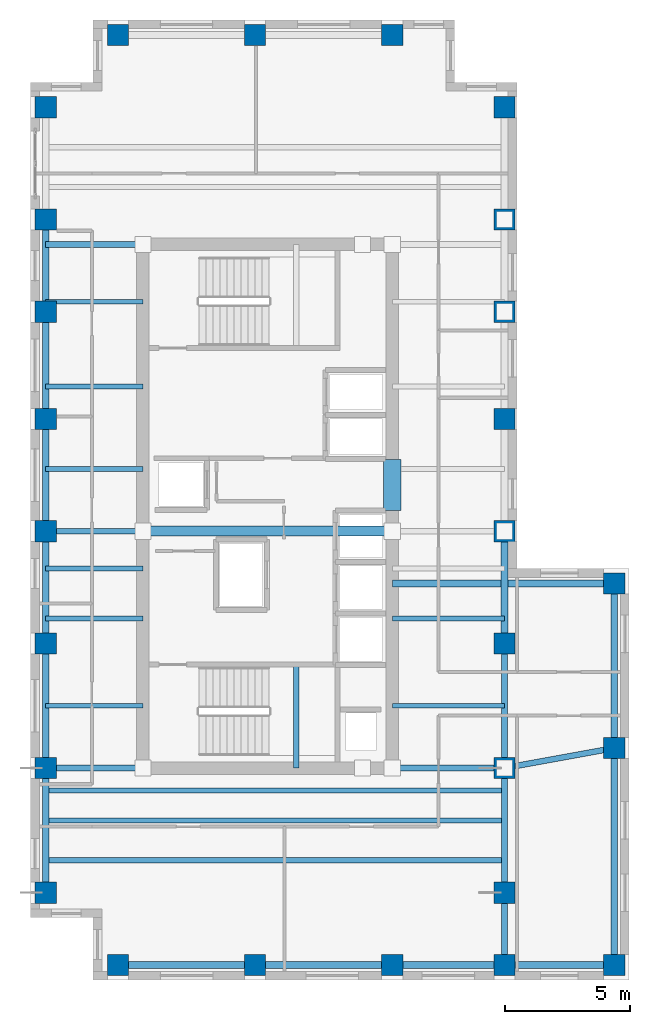
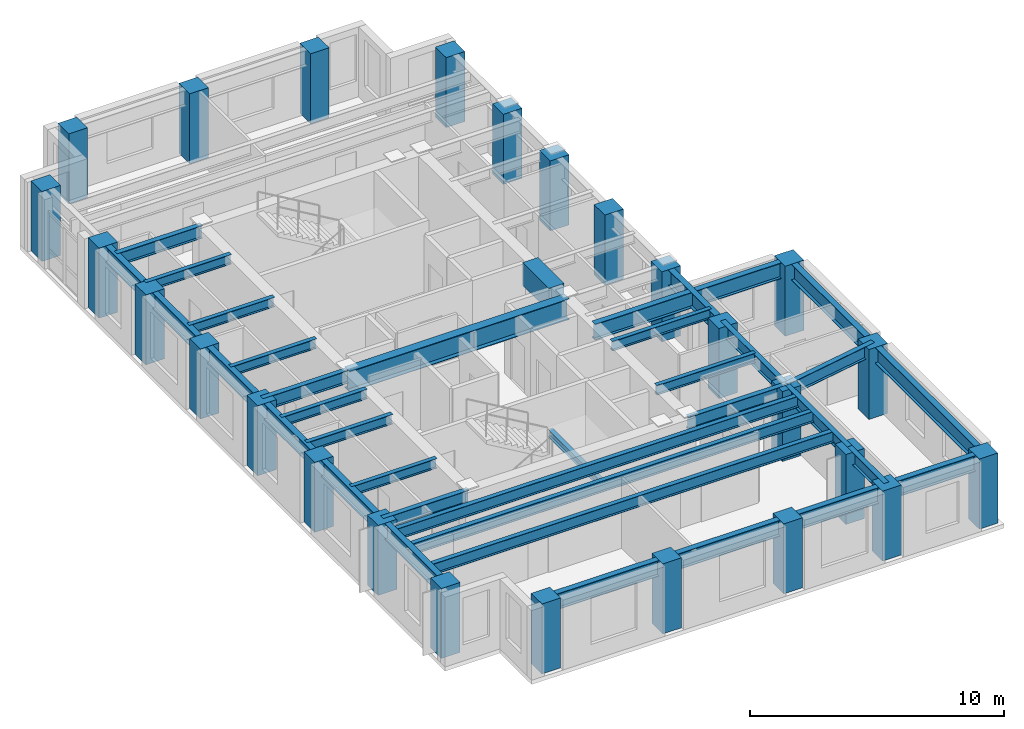
# One storey, part 1 of 10: 36 beams, 26 columns.
"""IFC4 building model written with IfcOpenShell, lengths in metres."""

from ifc_helpers import new_model, si_unit, direction, frame, origin, origin_2d, place, context, subcontext, project, spatial, rectangle, i_section, extrude, source, transform, mapped, material, material_profile, profile_set, type_object, element, save


model = new_model("IFC4")

# Units and contexts
model_context = context("Model", 3, precision=1e-05, world=origin(), true_north=direction((0.0, 1.0)))
body_context = subcontext(model_context, "Body", "Model", "MODEL_VIEW")
ifc_project = project(units=[si_unit("LENGTHUNIT", "METRE"), si_unit("AREAUNIT", "SQUARE_METRE"), si_unit("VOLUMEUNIT", "CUBIC_METRE"), si_unit("PLANEANGLEUNIT", "RADIAN"), si_unit("MASSUNIT", "GRAM", prefix="KILO")], contexts=[model_context])

# Site, building, storey
site_placement = place(None, origin())
site = spatial("IfcSite", under=ifc_project, at=site_placement, CompositionType="ELEMENT")
building_placement = place(site_placement, origin())
building = spatial("IfcBuilding", under=site, at=building_placement, Name="Kharzan Plaza Tower", CompositionType="ELEMENT")
storey_placement = place(building_placement, frame((0.0, 0.0, 273.60009765625)))
storey = spatial("IfcBuildingStorey", under=building, at=storey_placement, Name="L74", CompositionType="ELEMENT", Elevation=273.60009765625)

# Columns
ifc_material_1 = material(Name="Concrete C50/60", Category="concrete")
ifc_material_profile_1 = material_profile(ifc_material_1, rectangle(XDim=0.85009765625, YDim=0.85009765625, at=origin_2d()), Name="RC-TC850x850")
ifc_profile_set_1 = profile_set([ifc_material_profile_1], Name="Concrete C50/60")
column_type = type_object("IfcColumnType", Name="COL-TC850", PredefinedType="COLUMN", material=ifc_profile_set_1)
shared_shape_1 = source(origin(), body_context, "Body", "SweptSolid", [
    extrude(rectangle(XDim=0.85009765625, YDim=0.85009765625, at=origin_2d()), origin(), (0.0, 0.0, 1.0), 3.369873046875),
])
for number, where, z_axis, x_axis, name in (
    (1, (19.0, 13.5, 0.0), (0.0, 0.0, 1.0), (1.0, 0.0, 0.0), "L74 Structural Column TCA-135"),
    (2, (19.0, 18.0, 0.0), (0.0, 0.0, 1.0), (1.0, 0.0, 0.0), "L74 Structural Column TCA-180"),
    (3, (19.0, 22.5, 0.0), (0.0, 0.0, 1.0), (1.0, 0.0, 0.0), "L74 Structural Column TCA-225"),
    (4, (19.0, 26.800048828125, 0.0), (0.0, 0.0, 1.0), (1.0, 0.0, 0.0), "L74 Structural Column TCA-268"),
    (5, (19.0, 30.5, 0.0), (0.0, 0.0, 1.0), (1.0, 0.0, 0.0), "L74 Structural Column TCA-305"),
    (6, (19.0, 3.5, 0.0), (0.0, 0.0, 1.0), (1.0, 0.0, 0.0), "L74 Structural Column TCA-35"),
    (7, (19.0, 35.0, 0.0), (0.0, 0.0, 1.0), (1.0, 0.0, 0.0), "L74 Structural Column TCA-350"),
    (8, (19.0, 8.5, 0.0), (0.0, 0.0, 1.0), (1.0, 0.0, 0.0), "L74 Structural Column TCA-85"),
    (9, (14.5, 37.89990234375, 0.0), (0.0, 0.0, 1.0), (1.0, 0.0, 0.0), "L74 Structural Column TCN-145-379"),
    (10, (3.5, 37.89990234375, 0.0), (0.0, 0.0, 1.0), (1.0, 0.0, 0.0), "L74 Structural Column TCN-35-379"),
    (11, (9.0, 37.89990234375, 0.0), (0.0, 0.0, 1.0), (1.0, 0.0, 0.0), "L74 Structural Column TCN-90-379"),
    (12, (14.5, 0.60009765625, 0.0), (0.0, 0.0, 1.0), (1.0, 0.0, 0.0), "L74 Structural Column TCS-145"),
    (13, (19.0, 0.60009765625, 0.0), (0.0, 0.0, 1.0), (1.0, 0.0, 0.0), "L74 Structural Column TCS-190"),
    (14, (23.39990234375, 0.60009765625, 0.0), (0.0, 0.0, 1.0), (1.0, 0.0, 0.0), "L74 Structural Column TCS-234"),
    (15, (3.5, 0.60009765625, 0.0), (0.0, 0.0, 1.0), (1.0, 0.0, 0.0), "L74 Structural Column TCS-35"),
    (16, (9.0, 0.60009765625, 0.0), (0.0, 0.0, 1.0), (1.0, 0.0, 0.0), "L74 Structural Column TCS-90"),
    (17, (23.39990234375, 15.89990234375, 0.0), (0.0, 0.0, 1.0), (1.0, 0.0, 0.0), "L74 Structural Column TCSP-234-159"),
    (18, (23.39990234375, 9.300048828125, 0.0), (0.0, 0.0, 1.0), (1.0, 0.0, 0.0), "L74 Structural Column TCSP-234-93"),
    (19, (0.60009765625, 13.5, 0.0), (0.0, 0.0, 1.0), (1.0, 0.0, 0.0), "L74 Structural Column TCW-135"),
    (20, (0.60009765625, 18.0, 0.0), (0.0, 0.0, 1.0), (1.0, 0.0, 0.0), "L74 Structural Column TCW-180"),
    (21, (0.60009765625, 22.5, 0.0), (0.0, 0.0, 1.0), (1.0, 0.0, 0.0), "L74 Structural Column TCW-225"),
    (22, (0.60009765625, 26.800048828125, 0.0), (0.0, 0.0, 1.0), (1.0, 0.0, 0.0), "L74 Structural Column TCW-268"),
    (23, (0.60009765625, 30.5, 0.0), (0.0, 0.0, 1.0), (1.0, 0.0, 0.0), "L74 Structural Column TCW-305"),
    (24, (0.60009765625, 3.5, 0.0), (0.0, 0.0, 1.0), (1.0, 0.0, 0.0), "L74 Structural Column TCW-35"),
    (25, (0.60009765625, 35.0, 0.0), (0.0, 0.0, 1.0), (1.0, 0.0, 0.0), "L74 Structural Column TCW-350"),
    (26, (0.60009765625, 8.5, 0.0), (0.0, 0.0, 1.0), (1.0, 0.0, 0.0), "L74 Structural Column TCW-85"),
):
    element("IfcColumn", number, at=place(storey_placement, frame(where, z_axis=z_axis, x_axis=x_axis)), inside=storey, type_object=column_type, Name=name, PredefinedType="COLUMN", context=body_context, shape_type="MappedRepresentation", body=[
        mapped(shared_shape_1, transform((0.0, 0.0, 0.0), x_axis=(1.0, 0.0, 0.0), y_axis=(0.0, 1.0, 0.0), z_axis=(0.0, 0.0, 1.0))),
    ])

# Beams
ifc_material_2 = material(Name="Concrete C60/75", Category="concrete")
ifc_material_profile_2 = material_profile(ifc_material_2, rectangle(XDim=0.699951171875, YDim=1.10009765625, at=origin_2d()), Name="RC-CB1100x700")
ifc_profile_set_2 = profile_set([ifc_material_profile_2], Name="Concrete C60/75")
beam_type_1 = type_object("IfcBeamType", Name="BM-RCCB1100", PredefinedType="LINTEL", material=ifc_profile_set_2)
shared_shape_2 = source(origin(), body_context, "Body", "SweptSolid", [
    extrude(rectangle(XDim=0.699951171875, YDim=1.10009765625, at=origin_2d()), origin(), (0.0, 0.0, 1.0), 2.059814453125),
])
beam_1_placement = place(storey_placement, frame((14.5, 18.820068359375, 2.81982421875), z_axis=(0.0, 1.0, 0.0), x_axis=(-1.0, 0.0, 0.0)))
element("IfcBeam", 27, at=beam_1_placement, inside=storey, type_object=beam_type_1, Name="L74 CORE-A RC coupling beam CB1", PredefinedType="LINTEL", context=body_context, shape_type="MappedRepresentation", body=[
    mapped(shared_shape_2, transform((0.0, 0.0, 0.0), x_axis=(1.0, 0.0, 0.0), y_axis=(0.0, 1.0, 0.0), z_axis=(0.0, 0.0, 1.0))),
])
ifc_material_3 = material(Name="Steel S355", Category="steel")
ifc_material_profile_3 = material_profile(ifc_material_3, i_section(OverallWidth=0.205078125, OverallDepth=0.35400390625, WebThickness=0.009521484375, FlangeThickness=0.016845703125, at=origin_2d()), Name="W360x79")
ifc_profile_set_3 = profile_set([ifc_material_profile_3], Name="Steel S355")
beam_type_2 = type_object("IfcBeamType", Name="BM-LNT360", PredefinedType="LINTEL", material=ifc_profile_set_3)
shared_shape_3 = source(origin(), body_context, "Body", "SweptSolid", [
    extrude(i_section(OverallWidth=0.205078125, OverallDepth=0.35400390625, WebThickness=0.009521484375, FlangeThickness=0.016845703125, at=origin_2d()), origin(), (0.0, 0.0, 1.0), 4.155029296875),
])
beam_2_placement = place(storey_placement, frame((10.64990234375, 8.5, 1.4228515625), z_axis=(0.0, 1.0, 0.0), x_axis=(-1.0, 0.0, 0.0)))
element("IfcBeam", 28, at=beam_2_placement, inside=storey, type_object=beam_type_2, Name="L74 Stair ST-1 Half-Landing Beam", PredefinedType="LINTEL", context=body_context, shape_type="MappedRepresentation", body=[
    mapped(shared_shape_3, transform((0.0, 0.0, 0.0), x_axis=(1.0, 0.0, 0.0), y_axis=(0.0, 1.0, 0.0), z_axis=(0.0, 0.0, 1.0))),
])
ifc_material_profile_4 = material_profile(ifc_material_3, i_section(OverallWidth=0.2099609375, OverallDepth=0.537109375, WebThickness=0.010986328125, FlangeThickness=0.017333984375, at=origin_2d()), Name="W530x101")
ifc_profile_set_4 = profile_set([ifc_material_profile_4], Name="Steel S355")
beam_type_3 = type_object("IfcBeamType", Name="BM-JST530B", PredefinedType="JOIST", material=ifc_profile_set_4)
shared_shape_4 = source(origin(), body_context, "Body", "SweptSolid", [
    extrude(i_section(OverallWidth=0.2099609375, OverallDepth=0.537109375, WebThickness=0.010986328125, FlangeThickness=0.017333984375, at=origin_2d()), origin(), (0.0, 0.0, 1.0), 18.39990234375),
])
for number, where, z_axis, x_axis, name in (
    (29, (0.60009765625, 4.800048828125, 3.101318359375), (1.0, 0.0, 0.0), (0.0, 1.0, 0.0), "L74 Wing A Composite Joist 01"),
    (30, (0.60009765625, 6.39990234375, 3.101318359375), (1.0, 0.0, 0.0), (0.0, 1.0, 0.0), "L74 Wing A Composite Joist 02"),
    (31, (0.60009765625, 7.60009765625, 3.101318359375), (1.0, 0.0, 0.0), (0.0, 1.0, 0.0), "L74 Wing A Composite Joist 03"),
):
    element("IfcBeam", number, at=place(storey_placement, frame(where, z_axis=z_axis, x_axis=x_axis)), inside=storey, type_object=beam_type_3, Name=name, PredefinedType="JOIST", context=body_context, shape_type="MappedRepresentation", body=[
        mapped(shared_shape_4, transform((0.0, 0.0, 0.0), x_axis=(1.0, 0.0, 0.0), y_axis=(0.0, 1.0, 0.0), z_axis=(0.0, 0.0, 1.0))),
    ])
ifc_material_profile_5 = material_profile(ifc_material_3, i_section(OverallWidth=0.194091796875, OverallDepth=0.468994140625, WebThickness=0.011474609375, FlangeThickness=0.0205078125, at=origin_2d()), Name="W460x106")
ifc_profile_set_5 = profile_set([ifc_material_profile_5], Name="Steel S355")
beam_type_4 = type_object("IfcBeamType", Name="BM-JST460", PredefinedType="JOIST", material=ifc_profile_set_5)
shared_shape_5 = source(origin(), body_context, "Body", "SweptSolid", [
    extrude(i_section(OverallWidth=0.194091796875, OverallDepth=0.468994140625, WebThickness=0.011474609375, FlangeThickness=0.0205078125, at=origin_2d()), origin(), (0.0, 0.0, 1.0), 4.5),
])
for number, where, z_axis, x_axis, name in (
    (32, (14.5, 11.0, 3.135498046875), (1.0, 0.0, 0.0), (0.0, 1.0, 0.0), "L74 Wing A East Infill Joist 1"),
    (33, (14.5, 14.5, 3.135498046875), (1.0, 0.0, 0.0), (0.0, 1.0, 0.0), "L74 Wing A East Infill Joist 2"),
):
    element("IfcBeam", number, at=place(storey_placement, frame(where, z_axis=z_axis, x_axis=x_axis)), inside=storey, type_object=beam_type_4, Name=name, PredefinedType="JOIST", context=body_context, shape_type="MappedRepresentation", body=[
        mapped(shared_shape_5, transform((0.0, 0.0, 0.0), x_axis=(1.0, 0.0, 0.0), y_axis=(0.0, 1.0, 0.0), z_axis=(0.0, 0.0, 1.0))),
    ])
shared_shape_6 = source(origin(), body_context, "Body", "SweptSolid", [
    extrude(i_section(OverallWidth=0.194091796875, OverallDepth=0.468994140625, WebThickness=0.011474609375, FlangeThickness=0.0205078125, at=origin_2d()), origin(), (0.0, 0.0, 1.0), 3.89990234375),
])
for number, where, z_axis, x_axis, name in (
    (34, (0.60009765625, 11.0, 3.135498046875), (1.0, 0.0, 0.0), (0.0, 1.0, 0.0), "L74 Wing A West Infill Joist 1"),
    (35, (0.60009765625, 14.5, 3.135498046875), (1.0, 0.0, 0.0), (0.0, 1.0, 0.0), "L74 Wing A West Infill Joist 2"),
    (36, (0.60009765625, 16.5, 3.135498046875), (1.0, 0.0, 0.0), (0.0, 1.0, 0.0), "L74 Wing A West Infill Joist 3"),
    (37, (0.60009765625, 20.5, 3.135498046875), (1.0, 0.0, 0.0), (0.0, 1.0, 0.0), "L74 Wing A West Infill Joist 4"),
    (38, (0.60009765625, 23.800048828125, 3.135498046875), (1.0, 0.0, 0.0), (0.0, 1.0, 0.0), "L74 Wing A West Infill Joist 5"),
    (39, (0.60009765625, 27.199951171875, 3.135498046875), (1.0, 0.0, 0.0), (0.0, 1.0, 0.0), "L74 Wing A West Infill Joist 6"),
):
    element("IfcBeam", number, at=place(storey_placement, frame(where, z_axis=z_axis, x_axis=x_axis)), inside=storey, type_object=beam_type_4, Name=name, PredefinedType="JOIST", context=body_context, shape_type="MappedRepresentation", body=[
        mapped(shared_shape_6, transform((0.0, 0.0, 0.0), x_axis=(1.0, 0.0, 0.0), y_axis=(0.0, 1.0, 0.0), z_axis=(0.0, 0.0, 1.0))),
    ])
ifc_material_profile_6 = material_profile(ifc_material_3, i_section(OverallWidth=0.22900390625, OverallDepth=0.612060546875, WebThickness=0.011962890625, FlangeThickness=0.01953125, at=origin_2d()), Name="W610x125")
ifc_profile_set_6 = profile_set([ifc_material_profile_6], Name="Steel S355")
beam_type_5 = type_object("IfcBeamType", Name="BM-FG610B", PredefinedType="BEAM", material=ifc_profile_set_6)
shared_shape_7 = source(origin(), body_context, "Body", "SweptSolid", [
    extrude(i_section(OverallWidth=0.22900390625, OverallDepth=0.612060546875, WebThickness=0.011962890625, FlangeThickness=0.01953125, at=origin_2d()), origin(), (0.0, 0.0, 1.0), 4.5),
])
beam_3_placement = place(storey_placement, frame((14.5, 8.5, 3.06396484375), z_axis=(1.0, 0.0, 0.0), x_axis=(0.0, 1.0, 0.0)))
element("IfcBeam", 40, at=beam_3_placement, inside=storey, type_object=beam_type_5, Name="L74 Core-A East Floor Girder 1", PredefinedType="BEAM", context=body_context, shape_type="MappedRepresentation", body=[
    mapped(shared_shape_7, transform((0.0, 0.0, 0.0), x_axis=(1.0, 0.0, 0.0), y_axis=(0.0, 1.0, 0.0), z_axis=(0.0, 0.0, 1.0))),
])
shared_shape_8 = source(origin(), body_context, "Body", "SweptSolid", [
    extrude(i_section(OverallWidth=0.22900390625, OverallDepth=0.612060546875, WebThickness=0.011962890625, FlangeThickness=0.01953125, at=origin_2d()), origin(), (0.0, 0.0, 1.0), 3.89990234375),
])
for number, where, z_axis, x_axis, name in (
    (41, (0.60009765625, 8.5, 3.06396484375), (1.0, 0.0, 0.0), (0.0, 1.0, 0.0), "L74 Core-A West Floor Girder 1"),
    (42, (0.60009765625, 18.0, 3.06396484375), (1.0, 0.0, 0.0), (0.0, 1.0, 0.0), "L74 Core-A West Floor Girder 2"),
    (43, (0.60009765625, 29.5, 3.06396484375), (1.0, 0.0, 0.0), (0.0, 1.0, 0.0), "L74 Core-A West Floor Girder 3"),
):
    element("IfcBeam", number, at=place(storey_placement, frame(where, z_axis=z_axis, x_axis=x_axis)), inside=storey, type_object=beam_type_5, Name=name, PredefinedType="BEAM", context=body_context, shape_type="MappedRepresentation", body=[
        mapped(shared_shape_8, transform((0.0, 0.0, 0.0), x_axis=(1.0, 0.0, 0.0), y_axis=(0.0, 1.0, 0.0), z_axis=(0.0, 0.0, 1.0))),
    ])
shared_shape_9 = source(origin(), body_context, "Body", "SweptSolid", [
    extrude(i_section(OverallWidth=0.22900390625, OverallDepth=0.612060546875, WebThickness=0.011962890625, FlangeThickness=0.01953125, at=origin_2d()), origin(), (0.0, 0.0, 1.0), 5.0),
])
for number, where, z_axis, x_axis, name in (
    (44, (19.0, 3.5, 3.06396484375), (0.0, 1.0, 0.0), (-1.0, 0.0, 0.0), "L74 Interior Frame Girder"),
    (45, (19.0, 8.5, 3.06396484375), (0.0, 1.0, 0.0), (-1.0, 0.0, 0.0), "L74 Interior Frame Girder"),
):
    element("IfcBeam", number, at=place(storey_placement, frame(where, z_axis=z_axis, x_axis=x_axis)), inside=storey, type_object=beam_type_5, Name=name, PredefinedType="BEAM", context=body_context, shape_type="MappedRepresentation", body=[
        mapped(shared_shape_9, transform((0.0, 0.0, 0.0), x_axis=(1.0, 0.0, 0.0), y_axis=(0.0, 1.0, 0.0), z_axis=(0.0, 0.0, 1.0))),
    ])
shared_shape_10 = source(origin(), body_context, "Body", "SweptSolid", [
    extrude(i_section(OverallWidth=0.22900390625, OverallDepth=0.612060546875, WebThickness=0.011962890625, FlangeThickness=0.01953125, at=origin_2d()), origin(), (0.0, 0.0, 1.0), 2.89990234375),
])
beam_4_placement = place(storey_placement, frame((19.0, 0.60009765625, 3.06396484375), z_axis=(0.0, 1.0, 0.0), x_axis=(-1.0, 0.0, 0.0)))
element("IfcBeam", 46, at=beam_4_placement, inside=storey, type_object=beam_type_5, Name="L74 Interior Frame Girder", PredefinedType="BEAM", context=body_context, shape_type="MappedRepresentation", body=[
    mapped(shared_shape_10, transform((0.0, 0.0, 0.0), x_axis=(1.0, 0.0, 0.0), y_axis=(0.0, 1.0, 0.0), z_axis=(0.0, 0.0, 1.0))),
])
ifc_material_profile_7 = material_profile(ifc_material_3, i_section(OverallWidth=0.26708984375, OverallDepth=0.76611328125, WebThickness=0.014892578125, FlangeThickness=0.023681640625, at=origin_2d()), Name="W760x185")
ifc_profile_set_7 = profile_set([ifc_material_profile_7], Name="Steel S355")
beam_type_6 = type_object("IfcBeamType", Name="BM-SP760B", PredefinedType="SPANDREL", material=ifc_profile_set_7)
shared_shape_11 = source(origin(), body_context, "Body", "SweptSolid", [
    extrude(i_section(OverallWidth=0.26708984375, OverallDepth=0.76611328125, WebThickness=0.014892578125, FlangeThickness=0.023681640625, at=origin_2d()), origin(), (0.0, 0.0, 1.0), 5.0),
])
for number, where, z_axis, x_axis, name in (
    (47, (0.60009765625, 3.5, 2.98681640625), (0.0, 1.0, 0.0), (-1.0, 0.0, 0.0), "L74 Perimeter Tube Spandrel"),
    (48, (0.60009765625, 8.5, 2.98681640625), (0.0, 1.0, 0.0), (-1.0, 0.0, 0.0), "L74 Perimeter Tube Spandrel"),
):
    element("IfcBeam", number, at=place(storey_placement, frame(where, z_axis=z_axis, x_axis=x_axis)), inside=storey, type_object=beam_type_6, Name=name, PredefinedType="SPANDREL", context=body_context, shape_type="MappedRepresentation", body=[
        mapped(shared_shape_11, transform((0.0, 0.0, 0.0), x_axis=(1.0, 0.0, 0.0), y_axis=(0.0, 1.0, 0.0), z_axis=(0.0, 0.0, 1.0))),
    ])
shared_shape_12 = source(origin(), body_context, "Body", "SweptSolid", [
    extrude(i_section(OverallWidth=0.26708984375, OverallDepth=0.76611328125, WebThickness=0.014892578125, FlangeThickness=0.023681640625, at=origin_2d()), origin(), (0.0, 0.0, 1.0), 4.5),
])
for number, where, z_axis, x_axis, name in (
    (49, (0.60009765625, 13.5, 2.98681640625), (0.0, 1.0, 0.0), (-1.0, 0.0, 0.0), "L74 Perimeter Tube Spandrel"),
    (50, (0.60009765625, 18.0, 2.98681640625), (0.0, 1.0, 0.0), (-1.0, 0.0, 0.0), "L74 Perimeter Tube Spandrel"),
    (51, (19.0, 13.5, 2.98681640625), (0.0, 1.0, 0.0), (-1.0, 0.0, 0.0), "L74 Perimeter Tube Spandrel"),
    (52, (14.5, 0.60009765625, 2.98681640625), (1.0, 0.0, 0.0), (0.0, 1.0, 0.0), "L74 Perimeter Tube Spandrel"),
):
    element("IfcBeam", number, at=place(storey_placement, frame(where, z_axis=z_axis, x_axis=x_axis)), inside=storey, type_object=beam_type_6, Name=name, PredefinedType="SPANDREL", context=body_context, shape_type="MappedRepresentation", body=[
        mapped(shared_shape_12, transform((0.0, 0.0, 0.0), x_axis=(1.0, 0.0, 0.0), y_axis=(0.0, 1.0, 0.0), z_axis=(0.0, 0.0, 1.0))),
    ])
shared_shape_13 = source(origin(), body_context, "Body", "SweptSolid", [
    extrude(i_section(OverallWidth=0.26708984375, OverallDepth=0.76611328125, WebThickness=0.014892578125, FlangeThickness=0.023681640625, at=origin_2d()), origin(), (0.0, 0.0, 1.0), 4.300048828125),
])
beam_5_placement = place(storey_placement, frame((0.60009765625, 22.5, 2.98681640625), z_axis=(0.0, 1.0, 0.0), x_axis=(-1.0, 0.0, 0.0)))
element("IfcBeam", 53, at=beam_5_placement, inside=storey, type_object=beam_type_6, Name="L74 Perimeter Tube Spandrel", PredefinedType="SPANDREL", context=body_context, shape_type="MappedRepresentation", body=[
    mapped(shared_shape_13, transform((0.0, 0.0, 0.0), x_axis=(1.0, 0.0, 0.0), y_axis=(0.0, 1.0, 0.0), z_axis=(0.0, 0.0, 1.0))),
])
shared_shape_14 = source(origin(), body_context, "Body", "SweptSolid", [
    extrude(i_section(OverallWidth=0.26708984375, OverallDepth=0.76611328125, WebThickness=0.014892578125, FlangeThickness=0.023681640625, at=origin_2d()), origin(), (0.0, 0.0, 1.0), 3.699951171875),
])
beam_6_placement = place(storey_placement, frame((0.60009765625, 26.800048828125, 2.98681640625), z_axis=(0.0, 1.0, 0.0), x_axis=(-1.0, 0.0, 0.0)))
element("IfcBeam", 54, at=beam_6_placement, inside=storey, type_object=beam_type_6, Name="L74 Perimeter Tube Spandrel", PredefinedType="SPANDREL", context=body_context, shape_type="MappedRepresentation", body=[
    mapped(shared_shape_14, transform((0.0, 0.0, 0.0), x_axis=(1.0, 0.0, 0.0), y_axis=(0.0, 1.0, 0.0), z_axis=(0.0, 0.0, 1.0))),
])
shared_shape_15 = source(origin(), body_context, "Body", "SweptSolid", [
    extrude(i_section(OverallWidth=0.26708984375, OverallDepth=0.76611328125, WebThickness=0.014892578125, FlangeThickness=0.023681640625, at=origin_2d()), origin(), (0.0, 0.0, 1.0), 5.5),
])
for number, where, z_axis, x_axis, name in (
    (55, (3.5, 0.60009765625, 2.98681640625), (1.0, 0.0, 0.0), (0.0, 1.0, 0.0), "L74 Perimeter Tube Spandrel"),
    (56, (9.0, 0.60009765625, 2.98681640625), (1.0, 0.0, 0.0), (0.0, 1.0, 0.0), "L74 Perimeter Tube Spandrel"),
):
    element("IfcBeam", number, at=place(storey_placement, frame(where, z_axis=z_axis, x_axis=x_axis)), inside=storey, type_object=beam_type_6, Name=name, PredefinedType="SPANDREL", context=body_context, shape_type="MappedRepresentation", body=[
        mapped(shared_shape_15, transform((0.0, 0.0, 0.0), x_axis=(1.0, 0.0, 0.0), y_axis=(0.0, 1.0, 0.0), z_axis=(0.0, 0.0, 1.0))),
    ])
shared_shape_16 = source(origin(), body_context, "Body", "SweptSolid", [
    extrude(i_section(OverallWidth=0.26708984375, OverallDepth=0.76611328125, WebThickness=0.014892578125, FlangeThickness=0.023681640625, at=origin_2d()), origin(), (0.0, 0.0, 1.0), 4.39990234375),
])
beam_7_placement = place(storey_placement, frame((19.0, 0.60009765625, 2.98681640625), z_axis=(1.0, 0.0, 0.0), x_axis=(0.0, 1.0, 0.0)))
element("IfcBeam", 57, at=beam_7_placement, inside=storey, type_object=beam_type_6, Name="L74 Perimeter Tube Spandrel", PredefinedType="SPANDREL", context=body_context, shape_type="MappedRepresentation", body=[
    mapped(shared_shape_16, transform((0.0, 0.0, 0.0), x_axis=(1.0, 0.0, 0.0), y_axis=(0.0, 1.0, 0.0), z_axis=(0.0, 0.0, 1.0))),
])
shared_shape_17 = source(origin(), body_context, "Body", "SweptSolid", [
    extrude(i_section(OverallWidth=0.22900390625, OverallDepth=0.612060546875, WebThickness=0.011962890625, FlangeThickness=0.01953125, at=origin_2d()), origin(), (0.0, 0.0, 1.0), 4.47216796875),
])
beam_8_placement = place(storey_placement, frame((19.0, 8.5, 3.06396484375), z_axis=(0.983867289551, 0.178899850619, 0.0), x_axis=(-0.178899850619, 0.983867289551, 0.0)))
element("IfcBeam", 58, at=beam_8_placement, inside=storey, type_object=beam_type_5, Name="L74 Shoulder Mid Girder", PredefinedType="BEAM", context=body_context, shape_type="MappedRepresentation", body=[
    mapped(shared_shape_17, transform((0.0, 0.0, 0.0), x_axis=(1.0, 0.0, 0.0), y_axis=(0.0, 1.0, 0.0), z_axis=(0.0, 0.0, 1.0))),
])
shared_shape_18 = source(origin(), body_context, "Body", "SweptSolid", [
    extrude(i_section(OverallWidth=0.26708984375, OverallDepth=0.76611328125, WebThickness=0.014892578125, FlangeThickness=0.023681640625, at=origin_2d()), origin(), (0.0, 0.0, 1.0), 8.89990234375),
])
beam_9_placement = place(storey_placement, frame((14.5, 15.89990234375, 2.98681640625), z_axis=(1.0, 0.0, 0.0), x_axis=(0.0, 1.0, 0.0)))
element("IfcBeam", 59, at=beam_9_placement, inside=storey, type_object=beam_type_6, Name="L74 Shoulder North Edge Girder", PredefinedType="SPANDREL", context=body_context, shape_type="MappedRepresentation", body=[
    mapped(shared_shape_18, transform((0.0, 0.0, 0.0), x_axis=(1.0, 0.0, 0.0), y_axis=(0.0, 1.0, 0.0), z_axis=(0.0, 0.0, 1.0))),
])
shared_shape_19 = source(origin(), body_context, "Body", "SweptSolid", [
    extrude(i_section(OverallWidth=0.26708984375, OverallDepth=0.76611328125, WebThickness=0.014892578125, FlangeThickness=0.023681640625, at=origin_2d()), origin(), (0.0, 0.0, 1.0), 8.699951171875),
])
beam_10_placement = place(storey_placement, frame((23.39990234375, 0.60009765625, 2.98681640625), z_axis=(0.0, 1.0, 0.0), x_axis=(-1.0, 0.0, 0.0)))
element("IfcBeam", 60, at=beam_10_placement, inside=storey, type_object=beam_type_6, Name="L74 Perimeter Tube Spandrel", PredefinedType="SPANDREL", context=body_context, shape_type="MappedRepresentation", body=[
    mapped(shared_shape_19, transform((0.0, 0.0, 0.0), x_axis=(1.0, 0.0, 0.0), y_axis=(0.0, 1.0, 0.0), z_axis=(0.0, 0.0, 1.0))),
])
shared_shape_20 = source(origin(), body_context, "Body", "SweptSolid", [
    extrude(i_section(OverallWidth=0.26708984375, OverallDepth=0.76611328125, WebThickness=0.014892578125, FlangeThickness=0.023681640625, at=origin_2d()), origin(), (0.0, 0.0, 1.0), 6.599853515625),
])
beam_11_placement = place(storey_placement, frame((23.39990234375, 9.300048828125, 2.98681640625), z_axis=(0.0, 1.0, 0.0), x_axis=(-1.0, 0.0, 0.0)))
element("IfcBeam", 61, at=beam_11_placement, inside=storey, type_object=beam_type_6, Name="L74 Perimeter Tube Spandrel", PredefinedType="SPANDREL", context=body_context, shape_type="MappedRepresentation", body=[
    mapped(shared_shape_20, transform((0.0, 0.0, 0.0), x_axis=(1.0, 0.0, 0.0), y_axis=(0.0, 1.0, 0.0), z_axis=(0.0, 0.0, 1.0))),
])
ifc_material_profile_8 = material_profile(ifc_material_3, i_section(OverallWidth=0.39794921875, OverallDepth=1.0, WebThickness=0.017578125, FlangeThickness=0.02880859375, at=origin_2d()), Name="W1000x321")
ifc_profile_set_8 = profile_set([ifc_material_profile_8], Name="Steel S355")
beam_type_7 = type_object("IfcBeamType", Name="BM-PG1000B", PredefinedType="BEAM", material=ifc_profile_set_8)
shared_shape_21 = source(origin(), body_context, "Body", "SweptSolid", [
    extrude(i_section(OverallWidth=0.39794921875, OverallDepth=1.0, WebThickness=0.017578125, FlangeThickness=0.02880859375, at=origin_2d()), origin(), (0.0, 0.0, 1.0), 10.0),
])
beam_12_placement = place(storey_placement, frame((4.5, 18.0, 2.869873046875), z_axis=(1.0, 0.0, 0.0), x_axis=(0.0, 1.0, 0.0)))
element("IfcBeam", 62, at=beam_12_placement, inside=storey, type_object=beam_type_7, Name="L74 L74 Crown Post Transfer Girder FG4", PredefinedType="BEAM", context=body_context, shape_type="MappedRepresentation", body=[
    mapped(shared_shape_21, transform((0.0, 0.0, 0.0), x_axis=(1.0, 0.0, 0.0), y_axis=(0.0, 1.0, 0.0), z_axis=(0.0, 0.0, 1.0))),
])

save(model, "model.ifc")
